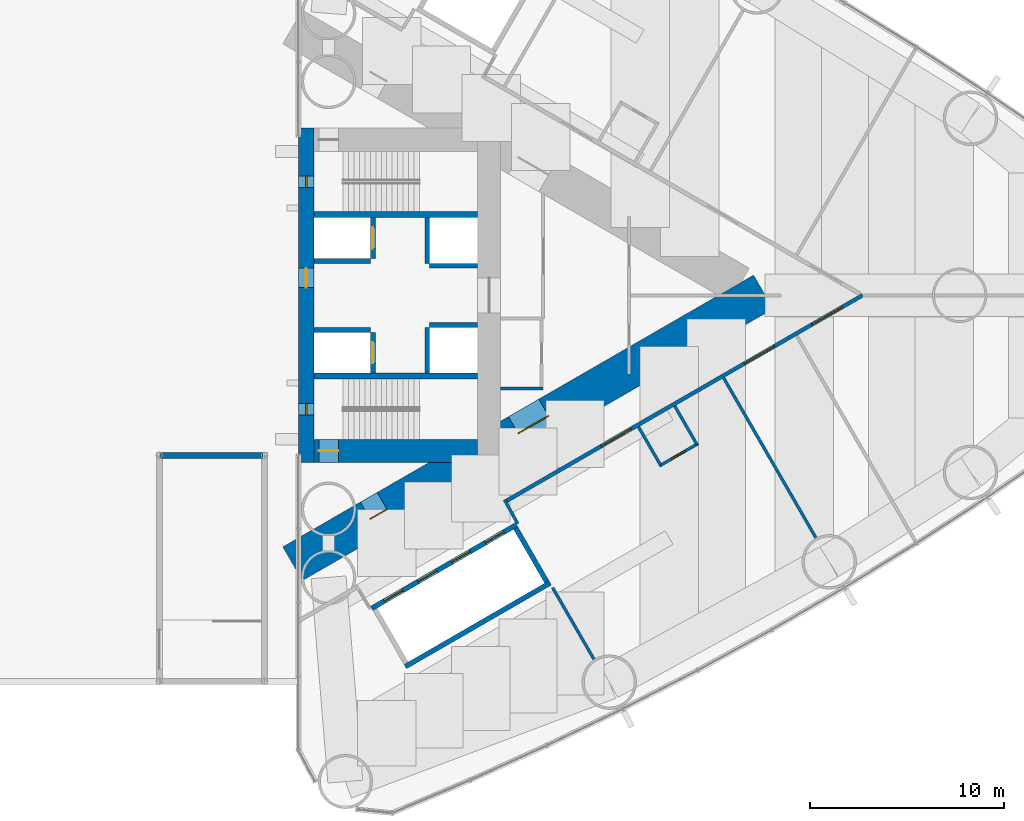
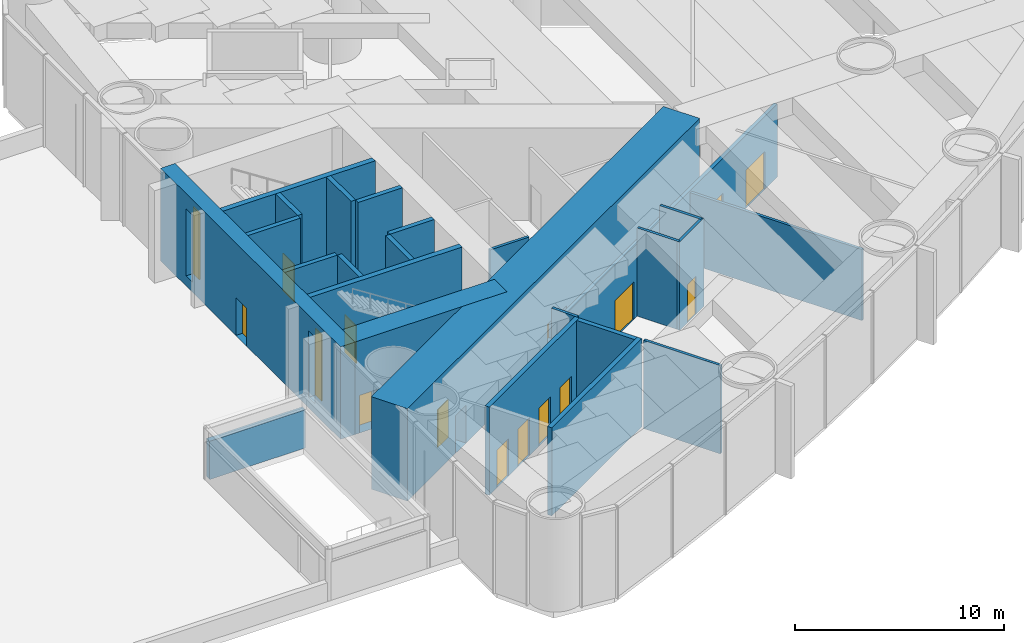
# One storey, part 19 of 23: 25 walls, 14 doors, 2 windows, 16 openings.
"""IFC4 building model written with IfcOpenShell, lengths in metres."""

from ifc_helpers import new_model, si_unit, direction, frame, frame_2d, origin, place, context, subcontext, project, spatial, rectangle, extrude, material, layer, layer_set, type_object, element, fill, save


model = new_model("IFC4")

# Units and contexts
model_context = context("Model", 3, precision=1e-05, world=origin(), true_north=direction((0.0, 1.0)))
body_context = subcontext(model_context, "Body", "Model", "MODEL_VIEW")
ifc_project = project(units=[si_unit("LENGTHUNIT", "METRE"), si_unit("AREAUNIT", "SQUARE_METRE"), si_unit("VOLUMEUNIT", "CUBIC_METRE"), si_unit("PLANEANGLEUNIT", "RADIAN"), si_unit("MASSUNIT", "GRAM", prefix="KILO")], contexts=[model_context])

# Site, building, storey
site_placement = place(None, origin())
site = spatial("IfcSite", under=ifc_project, at=site_placement, CompositionType="ELEMENT")
building_placement = place(site_placement, origin())
building = spatial("IfcBuilding", under=site, at=building_placement, Name="Lancet Gate Hotel", CompositionType="ELEMENT")
storey_placement = place(building_placement, frame((0.0, 0.0, 12.60009765625)))
storey = spatial("IfcBuildingStorey", under=building, at=storey_placement, Name="L02", CompositionType="ELEMENT", Elevation=12.60009765625)

# Walls
ifc_material_1 = material(Name="Moisture resistant board partition")
ifc_layer_1 = layer(ifc_material_1, 0.14990234375)
ifc_layer_set_1 = layer_set([ifc_layer_1], Name="Bathroom wall 150")
wall_type_1 = type_object("IfcWallType", Name="Bathroom wall 150", PredefinedType="PARTITIONING", material=ifc_layer_set_1)
for number, where, z_axis, x_axis, name in (
    (1, (44.986328125, -6.76416015625, 0.0), (0.0, 0.0, 1.0), (0.499982560684, -0.866035472144, 0.0), "T2 bathroom wall 150 L02"),
    (2, (46.848388671875, -5.689208984375, 0.0), (0.0, 0.0, 1.0), (0.499982560684, -0.866035472144, 0.0), "T2 bathroom wall 150 L02"),
):
    element("IfcWall", number, at=place(storey_placement, frame(where, z_axis=z_axis, x_axis=x_axis)), inside=storey, type_object=wall_type_1, Name=name, PredefinedType="PARTITIONING", context=body_context, shape_type="SweptSolid", body=[
        extrude(rectangle(XDim=2.27490234375, YDim=0.14990234375, at=frame_2d((1.137451171875, 0.0))), origin(), (0.0, 0.0, 1.0), 5.14990234375),
    ])

# Wall, opening, door
wall_1_placement = place(storey_placement, frame((46.058837890625, -8.77197265625, 0.0), z_axis=(0.0, 0.0, 1.0), x_axis=(0.866007057882, 0.500031774688, 0.0)))
wall_1 = element("IfcWall", 3, at=wall_1_placement, inside=storey, type_object=wall_type_1, Name="T2 bathroom wall 150 L02", PredefinedType="PARTITIONING", context=body_context, shape_type="SweptSolid", body=[
    extrude(rectangle(XDim=2.300048828125, YDim=0.14990234375, at=frame_2d((1.14990234375, 0.0))), origin(), (0.0, 0.0, 1.0), 5.14990234375),
])
opening_1_placement = place(wall_1_placement, frame((0.75, 0.0, 0.0)))
opening_1 = element("IfcOpeningElement", 4, at=opening_1_placement, cuts=wall_1, Name="Opening T2-L02-P202W", PredefinedType="OPENING", context=body_context, shape_type="SweptSolid", body=[
    extrude(rectangle(XDim=0.800048828125, YDim=2.199951171875, at=frame_2d((0.39990234375, 1.10009765625))), frame((0.0, 0.0849609375, 0.0), z_axis=(0.0, -1.0, 0.0), x_axis=(1.0, 0.0, 0.0)), (0.0, 0.0, 1.0), 0.169921875),
])
ifc_material_2 = material(Name="Timber door set", Category="wood")
door_type_1 = type_object("IfcDoorType", Name="Bathroom door 800", OperationType="SINGLE_SWING_RIGHT", PredefinedType="DOOR", material=ifc_material_2)
door_1_placement = place(opening_1_placement, origin())
door_1 = element("IfcDoor", 5, at=door_1_placement, inside=storey, type_object=door_type_1, Name="T2-L02-P202W", OperationType="SINGLE_SWING_RIGHT", OverallHeight=2.199951171875, OverallWidth=0.800048828125, PredefinedType="DOOR", context=body_context, shape_type="SweptSolid", body=[
    extrude(rectangle(XDim=0.800048828125, YDim=2.199951171875, at=frame_2d((0.39990234375, 1.10009765625))), frame((0.0, 0.02490234375, 0.0), z_axis=(0.0, -1.0, 0.0), x_axis=(1.0, 0.0, 0.0)), (0.0, 0.0, 1.0), 0.050048828125),
])
fill(opening_1, door_1)

# Wall, openings, doors
ifc_material_3 = material(Name="Concrete C70/85", Category="concrete")
ifc_layer_2 = layer(ifc_material_3, 2.0)
ifc_layer_set_2 = layer_set([ifc_layer_2], Name="Buttress wall 2000")
wall_type_2 = type_object("IfcWallType", Name="Buttress wall 2000", PredefinedType="SHEAR", material=ifc_layer_set_2)
wall_2_placement = place(storey_placement, frame((27.199951171875, -13.800048828125, 0.0), z_axis=(0.0, 0.0, 1.0), x_axis=(0.866027159892, 0.499996958321, 0.0)))
wall_2 = element("IfcWall", 6, at=wall_2_placement, inside=storey, type_object=wall_type_2, Name="T2 buttress wall S L02", PredefinedType="SHEAR", context=body_context, shape_type="SweptSolid", body=[
    extrude(rectangle(XDim=27.946533203125, YDim=2.0, at=frame_2d((13.97314453125, 0.0))), origin(), (0.0, 0.0, 1.0), 5.39990234375),
])
opening_2_placement = place(wall_2_placement, frame((4.60009765625, 0.0, 0.0)))
opening_2 = element("IfcOpeningElement", 7, at=opening_2_placement, cuts=wall_2, Name="Opening T2-L02-LS", PredefinedType="OPENING", context=body_context, shape_type="SweptSolid", body=[
    extrude(rectangle(XDim=1.0, YDim=2.199951171875, at=frame_2d((0.5, 1.10009765625))), frame((0.0, 1.010009765625, 0.0), z_axis=(0.0, -1.0, 0.0), x_axis=(1.0, 0.0, 0.0)), (0.0, 0.0, 1.0), 2.02001953125),
])
opening_3_placement = place(wall_2_placement, frame((13.39453125, 0.0, 0.0)))
opening_3 = element("IfcOpeningElement", 8, at=opening_3_placement, cuts=wall_2, Name="Opening T2-L02-LHS", PredefinedType="OPENING", context=body_context, shape_type="SweptSolid", body=[
    extrude(rectangle(XDim=1.800048828125, YDim=2.199951171875, at=frame_2d((0.89990234375, 1.10009765625))), frame((0.0, 1.010009765625, 0.0), z_axis=(0.0, -1.0, 0.0), x_axis=(1.0, 0.0, 0.0)), (0.0, 0.0, 1.0), 2.02001953125),
])
ifc_material_4 = material(Name="Timber door set", Category="wood")
door_type_2 = type_object("IfcDoorType", Name="Lobby double door 1800", OperationType="DOUBLE_DOOR_SINGLE_SWING", PredefinedType="DOOR", material=ifc_material_4)
door_2_placement = place(opening_3_placement, origin())
door_2 = element("IfcDoor", 9, at=door_2_placement, inside=storey, type_object=door_type_2, Name="T2-L02-LHS", OperationType="DOUBLE_DOOR_SINGLE_SWING", OverallHeight=2.199951171875, OverallWidth=1.800048828125, PredefinedType="DOOR", context=body_context, shape_type="SweptSolid", body=[
    extrude(rectangle(XDim=1.800048828125, YDim=2.199951171875, at=frame_2d((0.89990234375, 1.10009765625))), frame((0.0, 0.02490234375, 0.0), z_axis=(0.0, -1.0, 0.0), x_axis=(1.0, 0.0, 0.0)), (0.0, 0.0, 1.0), 0.050048828125),
])
fill(opening_3, door_2)
ifc_material_5 = material(Name="Timber door set", Category="wood")
door_type_3 = type_object("IfcDoorType", Name="Stair lobby door 1000", OperationType="SINGLE_SWING_LEFT", PredefinedType="DOOR", material=ifc_material_5)
door_3_placement = place(opening_2_placement, origin())
door_3 = element("IfcDoor", 10, at=door_3_placement, inside=storey, type_object=door_type_3, Name="T2-L02-LS", OperationType="SINGLE_SWING_LEFT", OverallHeight=2.199951171875, OverallWidth=1.0, PredefinedType="DOOR", context=body_context, shape_type="SweptSolid", body=[
    extrude(rectangle(XDim=1.0, YDim=2.199951171875, at=frame_2d((0.5, 1.10009765625))), frame((0.0, 0.02490234375, 0.0), z_axis=(0.0, -1.0, 0.0), x_axis=(1.0, 0.0, 0.0)), (0.0, 0.0, 1.0), 0.050048828125),
])
fill(opening_2, door_3)

# Wall, opening, door
ifc_material_6 = material(Name="Concrete C70/85", Category="concrete")
ifc_layer_3 = layer(ifc_material_6, 1.199951171875)
ifc_layer_set_3 = layer_set([ifc_layer_3], Name="Core wall 1200")
wall_type_3 = type_object("IfcWallType", Name="Core wall 1200", PredefinedType="SHEAR", material=ifc_layer_set_3)
wall_3_placement = place(storey_placement, frame((28.300048828125, -8.0, 0.0), z_axis=(0.0, 0.0, 1.0), x_axis=(1.0, 0.0, 0.0)))
wall_3 = element("IfcWall", 11, at=wall_3_placement, inside=storey, type_object=wall_type_3, Name="T2 core wall side-S L02", PredefinedType="SHEAR", context=body_context, shape_type="SweptSolid", body=[
    extrude(rectangle(XDim=8.39990234375, YDim=1.199951171875, at=frame_2d((4.199951171875, 0.0))), origin(), (0.0, 0.0, 1.0), 5.39990234375),
])
opening_4_placement = place(wall_3_placement, frame((0.25, 0.0, 0.0)))
opening_4 = element("IfcOpeningElement", 12, at=opening_4_placement, cuts=wall_3, Name="Opening T2-L02-ST1", PredefinedType="OPENING", context=body_context, shape_type="SweptSolid", body=[
    extrude(rectangle(XDim=1.0, YDim=2.199951171875, at=frame_2d((0.5, 1.10009765625))), frame((0.0, 0.60986328125, 0.0), z_axis=(0.0, -1.0, 0.0), x_axis=(1.0, 0.0, 0.0)), (0.0, 0.0, 1.0), 1.219970703125),
])
ifc_material_7 = material(Name="Timber door set", Category="wood")
door_type_4 = type_object("IfcDoorType", Name="Stair door 1000", OperationType="SINGLE_SWING_RIGHT", PredefinedType="DOOR", material=ifc_material_7)
door_4_placement = place(opening_4_placement, origin())
door_4 = element("IfcDoor", 13, at=door_4_placement, inside=storey, type_object=door_type_4, Name="T2-L02-ST1", OperationType="SINGLE_SWING_RIGHT", OverallHeight=2.199951171875, OverallWidth=1.0, PredefinedType="DOOR", context=body_context, shape_type="SweptSolid", body=[
    extrude(rectangle(XDim=1.0, YDim=2.199951171875, at=frame_2d((0.5, 1.10009765625))), frame((0.0, 0.02490234375, 0.0), z_axis=(0.0, -1.0, 0.0), x_axis=(1.0, 0.0, 0.0)), (0.0, 0.0, 1.0), 0.050048828125),
])
fill(opening_4, door_4)

# Wall, openings, windows, door
ifc_material_8 = material(Name="Concrete C70/85", Category="concrete")
ifc_layer_4 = layer(ifc_material_8, 0.800048828125)
ifc_layer_set_4 = layer_set([ifc_layer_4], Name="Core wall 800")
wall_type_4 = type_object("IfcWallType", Name="Core wall 800", PredefinedType="SHEAR", material=ifc_layer_set_4)
wall_4_placement = place(storey_placement, frame((27.89990234375, -8.60009765625, 0.0), z_axis=(0.0, 0.0, 1.0), x_axis=(0.0, 1.0, 0.0)))
wall_4 = element("IfcWall", 14, at=wall_4_placement, inside=storey, type_object=wall_type_4, Name="T2 core wall front L02", PredefinedType="SHEAR", context=body_context, shape_type="SweptSolid", body=[
    extrude(rectangle(XDim=17.2001953125, YDim=0.800048828125, at=frame_2d((8.60009765625, 0.0))), origin(), (0.0, 0.0, 1.0), 5.39990234375),
])
opening_5_placement = place(wall_4_placement, frame((9.0, 0.0, 0.0)))
opening_5 = element("IfcOpeningElement", 15, at=opening_5_placement, cuts=wall_4, Name="Opening T2-L02-RT", PredefinedType="OPENING", context=body_context, shape_type="SweptSolid", body=[
    extrude(rectangle(XDim=1.0, YDim=2.199951171875, at=frame_2d((0.5, 1.10009765625))), frame((0.0, 0.409912109375, 0.0), z_axis=(0.0, -1.0, 0.0), x_axis=(1.0, 0.0, 0.0)), (0.0, 0.0, 1.0), 0.820068359375),
])
opening_6_placement = place(wall_4_placement, frame((2.449951171875, 0.0, 0.60009765625)))
opening_6 = element("IfcOpeningElement", 16, at=opening_6_placement, cuts=wall_4, Name="Opening LW2", PredefinedType="OPENING", context=body_context, shape_type="SweptSolid", body=[
    extrude(rectangle(XDim=0.60009765625, YDim=3.89990234375, at=frame_2d((0.300048828125, 1.949951171875))), frame((0.0, 0.409912109375, 0.0), z_axis=(0.0, -1.0, 0.0), x_axis=(1.0, 0.0, 0.0)), (0.0, 0.0, 1.0), 0.820068359375),
])
opening_7_placement = place(wall_4_placement, frame((14.14990234375, 0.0, 0.60009765625)))
opening_7 = element("IfcOpeningElement", 17, at=opening_7_placement, cuts=wall_4, Name="Opening LW2", PredefinedType="OPENING", context=body_context, shape_type="SweptSolid", body=[
    extrude(rectangle(XDim=0.60009765625, YDim=3.89990234375, at=frame_2d((0.300048828125, 1.949951171875))), frame((0.0, 0.409912109375, 0.0), z_axis=(0.0, -1.0, 0.0), x_axis=(1.0, 0.0, 0.0)), (0.0, 0.0, 1.0), 0.820068359375),
])
ifc_material_9 = material(Name="Fire-resisting glazed steel window", Category="steel")
window_type = type_object("IfcWindowType", Name="Lancet window 600x3900", PartitioningType="SINGLE_PANEL", PredefinedType="WINDOW", material=ifc_material_9)
window_1_placement = place(opening_6_placement, origin())
window_1 = element("IfcWindow", 18, at=window_1_placement, inside=storey, type_object=window_type, Name="T2 stair window S L02", OverallHeight=3.89990234375, OverallWidth=0.60009765625, PartitioningType="SINGLE_PANEL", PredefinedType="WINDOW", context=body_context, shape_type="SweptSolid", body=[
    extrude(rectangle(XDim=0.60009765625, YDim=3.89990234375, at=frame_2d((0.300048828125, 1.949951171875))), frame((0.0, 0.030029296875, 0.0), z_axis=(0.0, -1.0, 0.0), x_axis=(1.0, 0.0, 0.0)), (0.0, 0.0, 1.0), 0.06005859375),
])
fill(opening_6, window_1)
window_2_placement = place(opening_7_placement, origin())
window_2 = element("IfcWindow", 19, at=window_2_placement, inside=storey, type_object=window_type, Name="T2 stair window N L02", OverallHeight=3.89990234375, OverallWidth=0.60009765625, PartitioningType="SINGLE_PANEL", PredefinedType="WINDOW", context=body_context, shape_type="SweptSolid", body=[
    extrude(rectangle(XDim=0.60009765625, YDim=3.89990234375, at=frame_2d((0.300048828125, 1.949951171875))), frame((0.0, 0.030029296875, 0.0), z_axis=(0.0, -1.0, 0.0), x_axis=(1.0, 0.0, 0.0)), (0.0, 0.0, 1.0), 0.06005859375),
])
fill(opening_7, window_2)
ifc_material_10 = material(Name="Timber door set", Category="wood")
door_type_5 = type_object("IfcDoorType", Name="Maintenance roof access door", OperationType="SINGLE_SWING_LEFT", PredefinedType="DOOR", material=ifc_material_10)
door_5_placement = place(opening_5_placement, origin())
door_5 = element("IfcDoor", 20, at=door_5_placement, inside=storey, type_object=door_type_5, Name="T2-L02-RT", OperationType="SINGLE_SWING_LEFT", OverallHeight=2.199951171875, OverallWidth=1.0, PredefinedType="DOOR", context=body_context, shape_type="SweptSolid", body=[
    extrude(rectangle(XDim=1.0, YDim=2.199951171875, at=frame_2d((0.5, 1.10009765625))), frame((0.0, 0.02490234375, 0.0), z_axis=(0.0, -1.0, 0.0), x_axis=(1.0, 0.0, 0.0)), (0.0, 0.0, 1.0), 0.050048828125),
])
fill(opening_5, door_5)

# Wall, openings, doors
ifc_material_11 = material(Name="Gypsum board partition")
ifc_layer_5 = layer(ifc_material_11, 0.199951171875)
ifc_layer_set_5 = layer_set([ifc_layer_5], Name="Corridor wall 200")
wall_type_5 = type_object("IfcWallType", Name="Corridor wall 200", PredefinedType="PARTITIONING", material=ifc_layer_set_5)
wall_5_placement = place(storey_placement, frame((38.159912109375, -10.58984375, 0.0), z_axis=(0.0, 0.0, 1.0), x_axis=(0.866027029586, 0.499997184019, 0.0)))
wall_5 = element("IfcWall", 21, at=wall_5_placement, inside=storey, type_object=wall_type_5, Name="T2 corridor wall 200 L02", PredefinedType="PARTITIONING", context=body_context, shape_type="SweptSolid", body=[
    extrude(rectangle(XDim=21.1796875, YDim=0.199951171875, at=frame_2d((10.58984375, 0.0))), origin(), (0.0, 0.0, 1.0), 4.25),
])
opening_8_placement = place(wall_5_placement, frame((14.142333984375, 0.0, 0.0)))
opening_8 = element("IfcOpeningElement", 22, at=opening_8_placement, cuts=wall_5, Name="Opening T2-L02-P203", PredefinedType="OPENING", context=body_context, shape_type="SweptSolid", body=[
    extrude(rectangle(XDim=1.800048828125, YDim=2.199951171875, at=frame_2d((0.89990234375, 1.10009765625))), frame((0.0, 0.10986328125, 0.0), z_axis=(0.0, -1.0, 0.0), x_axis=(1.0, 0.0, 0.0)), (0.0, 0.0, 1.0), 0.219970703125),
])
opening_9_placement = place(wall_5_placement, frame((18.1826171875, 0.0, 0.0)))
opening_9 = element("IfcOpeningElement", 23, at=opening_9_placement, cuts=wall_5, Name="Opening T2-L02-P204", PredefinedType="OPENING", context=body_context, shape_type="SweptSolid", body=[
    extrude(rectangle(XDim=1.800048828125, YDim=2.199951171875, at=frame_2d((0.89990234375, 1.10009765625))), frame((0.0, 0.10986328125, 0.0), z_axis=(0.0, -1.0, 0.0), x_axis=(1.0, 0.0, 0.0)), (0.0, 0.0, 1.0), 0.219970703125),
])
opening_10_placement = place(wall_5_placement, frame((5.649658203125, 0.0, 0.0)))
opening_10 = element("IfcOpeningElement", 24, at=opening_10_placement, cuts=wall_5, Name="Opening T2-L02-P202", PredefinedType="OPENING", context=body_context, shape_type="SweptSolid", body=[
    extrude(rectangle(XDim=1.800048828125, YDim=2.199951171875, at=frame_2d((0.89990234375, 1.10009765625))), frame((0.0, 0.10986328125, 0.0), z_axis=(0.0, -1.0, 0.0), x_axis=(1.0, 0.0, 0.0)), (0.0, 0.0, 1.0), 0.219970703125),
])
ifc_material_12 = material(Name="Timber door set", Category="wood")
door_type_6 = type_object("IfcDoorType", Name="Double door 1800", OperationType="DOUBLE_DOOR_SINGLE_SWING", PredefinedType="DOOR", material=ifc_material_12)
door_6_placement = place(opening_8_placement, origin())
door_6 = element("IfcDoor", 25, at=door_6_placement, inside=storey, type_object=door_type_6, Name="T2-L02-P203", OperationType="DOUBLE_DOOR_SINGLE_SWING", OverallHeight=2.199951171875, OverallWidth=1.800048828125, PredefinedType="DOOR", context=body_context, shape_type="SweptSolid", body=[
    extrude(rectangle(XDim=1.800048828125, YDim=2.199951171875, at=frame_2d((0.89990234375, 1.10009765625))), frame((0.0, 0.02490234375, 0.0), z_axis=(0.0, -1.0, 0.0), x_axis=(1.0, 0.0, 0.0)), (0.0, 0.0, 1.0), 0.050048828125),
])
fill(opening_8, door_6)
door_7_placement = place(opening_9_placement, origin())
door_7 = element("IfcDoor", 26, at=door_7_placement, inside=storey, type_object=door_type_6, Name="T2-L02-P204", OperationType="DOUBLE_DOOR_SINGLE_SWING", OverallHeight=2.199951171875, OverallWidth=1.800048828125, PredefinedType="DOOR", context=body_context, shape_type="SweptSolid", body=[
    extrude(rectangle(XDim=1.800048828125, YDim=2.199951171875, at=frame_2d((0.89990234375, 1.10009765625))), frame((0.0, 0.02490234375, 0.0), z_axis=(0.0, -1.0, 0.0), x_axis=(1.0, 0.0, 0.0)), (0.0, 0.0, 1.0), 0.050048828125),
])
fill(opening_9, door_7)
door_8_placement = place(opening_10_placement, origin())
door_8 = element("IfcDoor", 27, at=door_8_placement, inside=storey, type_object=door_type_6, Name="T2-L02-P202", OperationType="DOUBLE_DOOR_SINGLE_SWING", OverallHeight=2.199951171875, OverallWidth=1.800048828125, PredefinedType="DOOR", context=body_context, shape_type="SweptSolid", body=[
    extrude(rectangle(XDim=1.800048828125, YDim=2.199951171875, at=frame_2d((0.89990234375, 1.10009765625))), frame((0.0, 0.02490234375, 0.0), z_axis=(0.0, -1.0, 0.0), x_axis=(1.0, 0.0, 0.0)), (0.0, 0.0, 1.0), 0.050048828125),
])
fill(opening_10, door_8)

ifc_material_13 = material(Name="Gypsum board partition")
ifc_layer_6 = layer(ifc_material_13, 0.25)
ifc_layer_set_6 = layer_set([ifc_layer_6], Name="Lift shaft partition 250")
wall_type_6 = type_object("IfcWallType", Name="Lift shaft partition 250", PredefinedType="PARTITIONING", material=ifc_layer_set_6)
wall_6_placement = place(storey_placement, frame((31.2705078125, -16.09716796875, 0.0), z_axis=(0.0, 0.0, 1.0), x_axis=(0.86604045752, 0.499973925258, 0.0)))
wall_6 = element("IfcWall", 28, at=wall_6_placement, inside=storey, type_object=wall_type_6, Name="T2 lift shaft wall LR L02", PredefinedType="PARTITIONING", context=body_context, shape_type="SweptSolid", body=[
    extrude(rectangle(XDim=8.60009765625, YDim=0.25, at=frame_2d((4.300048828125, 0.0))), origin(), (0.0, 0.0, 1.0), 5.14990234375),
])
opening_11_placement = place(wall_6_placement, frame((0.75, 0.0, 0.0)))
opening_11 = element("IfcOpeningElement", 29, at=opening_11_placement, cuts=wall_6, Name="Opening T2-LR1-L02", PredefinedType="OPENING", context=body_context, shape_type="SweptSolid", body=[
    extrude(rectangle(XDim=1.10009765625, YDim=2.199951171875, at=frame_2d((0.550048828125, 1.10009765625))), frame((0.0, 0.135009765625, 0.0), z_axis=(0.0, -1.0, 0.0), x_axis=(1.0, 0.0, 0.0)), (0.0, 0.0, 1.0), 0.27001953125),
])
opening_12_placement = place(wall_6_placement, frame((2.75, 0.0, 0.0)))
opening_12 = element("IfcOpeningElement", 30, at=opening_12_placement, cuts=wall_6, Name="Opening T2-LR2-L02", PredefinedType="OPENING", context=body_context, shape_type="SweptSolid", body=[
    extrude(rectangle(XDim=1.10009765625, YDim=2.199951171875, at=frame_2d((0.550048828125, 1.10009765625))), frame((0.0, 0.135009765625, 0.0), z_axis=(0.0, -1.0, 0.0), x_axis=(1.0, 0.0, 0.0)), (0.0, 0.0, 1.0), 0.27001953125),
])
opening_13_placement = place(wall_6_placement, frame((4.75, 0.0, 0.0)))
opening_13 = element("IfcOpeningElement", 31, at=opening_13_placement, cuts=wall_6, Name="Opening T2-LR3-L02", PredefinedType="OPENING", context=body_context, shape_type="SweptSolid", body=[
    extrude(rectangle(XDim=1.10009765625, YDim=2.199951171875, at=frame_2d((0.550048828125, 1.10009765625))), frame((0.0, 0.135009765625, 0.0), z_axis=(0.0, -1.0, 0.0), x_axis=(1.0, 0.0, 0.0)), (0.0, 0.0, 1.0), 0.27001953125),
])
opening_14_placement = place(wall_6_placement, frame((6.75, 0.0, 0.0)))
opening_14 = element("IfcOpeningElement", 32, at=opening_14_placement, cuts=wall_6, Name="Opening T2-LR4-L02", PredefinedType="OPENING", context=body_context, shape_type="SweptSolid", body=[
    extrude(rectangle(XDim=1.10009765625, YDim=2.199951171875, at=frame_2d((0.550048828125, 1.10009765625))), frame((0.0, 0.135009765625, 0.0), z_axis=(0.0, -1.0, 0.0), x_axis=(1.0, 0.0, 0.0)), (0.0, 0.0, 1.0), 0.27001953125),
])
ifc_material_14 = material(Name="Steel door set", Category="steel")
door_type_7 = type_object("IfcDoorType", Name="Lift landing door 1100", OperationType="DOUBLE_DOOR_SLIDING", PredefinedType="USERDEFINED", material=ifc_material_14)
door_9_placement = place(opening_11_placement, origin())
door_9 = element("IfcDoor", 33, at=door_9_placement, inside=storey, type_object=door_type_7, Name="T2-LR1-L02", ObjectType="LIFT LANDING DOOR", OperationType="DOUBLE_DOOR_SLIDING", OverallHeight=2.199951171875, OverallWidth=1.10009765625, PredefinedType="USERDEFINED", context=body_context, shape_type="SweptSolid", body=[
    extrude(rectangle(XDim=1.10009765625, YDim=2.199951171875, at=frame_2d((0.550048828125, 1.10009765625))), frame((0.0, 0.02490234375, 0.0), z_axis=(0.0, -1.0, 0.0), x_axis=(1.0, 0.0, 0.0)), (0.0, 0.0, 1.0), 0.050048828125),
])
fill(opening_11, door_9)
door_10_placement = place(opening_12_placement, origin())
door_10 = element("IfcDoor", 34, at=door_10_placement, inside=storey, type_object=door_type_7, Name="T2-LR2-L02", ObjectType="LIFT LANDING DOOR", OperationType="DOUBLE_DOOR_SLIDING", OverallHeight=2.199951171875, OverallWidth=1.10009765625, PredefinedType="USERDEFINED", context=body_context, shape_type="SweptSolid", body=[
    extrude(rectangle(XDim=1.10009765625, YDim=2.199951171875, at=frame_2d((0.550048828125, 1.10009765625))), frame((0.0, 0.02490234375, 0.0), z_axis=(0.0, -1.0, 0.0), x_axis=(1.0, 0.0, 0.0)), (0.0, 0.0, 1.0), 0.050048828125),
])
fill(opening_12, door_10)
door_11_placement = place(opening_13_placement, origin())
door_11 = element("IfcDoor", 35, at=door_11_placement, inside=storey, type_object=door_type_7, Name="T2-LR3-L02", ObjectType="LIFT LANDING DOOR", OperationType="DOUBLE_DOOR_SLIDING", OverallHeight=2.199951171875, OverallWidth=1.10009765625, PredefinedType="USERDEFINED", context=body_context, shape_type="SweptSolid", body=[
    extrude(rectangle(XDim=1.10009765625, YDim=2.199951171875, at=frame_2d((0.550048828125, 1.10009765625))), frame((0.0, 0.02490234375, 0.0), z_axis=(0.0, -1.0, 0.0), x_axis=(1.0, 0.0, 0.0)), (0.0, 0.0, 1.0), 0.050048828125),
])
fill(opening_13, door_11)
door_12_placement = place(opening_14_placement, origin())
door_12 = element("IfcDoor", 36, at=door_12_placement, inside=storey, type_object=door_type_7, Name="T2-LR4-L02", ObjectType="LIFT LANDING DOOR", OperationType="DOUBLE_DOOR_SLIDING", OverallHeight=2.199951171875, OverallWidth=1.10009765625, PredefinedType="USERDEFINED", context=body_context, shape_type="SweptSolid", body=[
    extrude(rectangle(XDim=1.10009765625, YDim=2.199951171875, at=frame_2d((0.550048828125, 1.10009765625))), frame((0.0, 0.02490234375, 0.0), z_axis=(0.0, -1.0, 0.0), x_axis=(1.0, 0.0, 0.0)), (0.0, 0.0, 1.0), 0.050048828125),
])
fill(opening_14, door_12)

# Walls
wall_7_placement = place(storey_placement, frame((32.99560546875, -19.085693359375, 0.0), z_axis=(0.0, 0.0, 1.0), x_axis=(0.866028165386, 0.499995216735, 0.0)))
element("IfcWall", 37, at=wall_7_placement, inside=storey, type_object=wall_type_6, Name="T2 lift shaft wall LR L02", PredefinedType="PARTITIONING", context=body_context, shape_type="SweptSolid", body=[
    extrude(rectangle(XDim=8.60009765625, YDim=0.25, at=frame_2d((4.300048828125, 0.0))), origin(), (0.0, 0.0, 1.0), 5.14990234375),
])
wall_8_placement = place(storey_placement, frame((38.672607421875, -11.968017578125, 0.0), z_axis=(0.0, 0.0, 1.0), x_axis=(0.499929347863, -0.866066190972, 0.0)))
element("IfcWall", 38, at=wall_8_placement, inside=storey, type_object=wall_type_6, Name="T2 lift shaft wall LR L02", PredefinedType="PARTITIONING", context=body_context, shape_type="SweptSolid", body=[
    extrude(rectangle(XDim=3.20068359375, YDim=0.25, at=frame_2d((1.600341796875, 0.0))), origin(), (0.0, 0.0, 1.0), 5.14990234375),
])

# Wall, opening, door
ifc_material_15 = material(Name="Concrete C50/60", Category="concrete")
ifc_layer_7 = layer(ifc_material_15, 0.25)
ifc_layer_set_7 = layer_set([ifc_layer_7], Name="Lift shaft wall 250")
wall_type_7 = type_object("IfcWallType", Name="Lift shaft wall 250", PredefinedType="SHEAR", material=ifc_layer_set_7)
wall_9_placement = place(storey_placement, frame((31.324951171875, -4.0, 0.0), z_axis=(0.0, 0.0, 1.0), x_axis=(0.0, 1.0, 0.0)))
wall_9 = element("IfcWall", 39, at=wall_9_placement, inside=storey, type_object=wall_type_7, Name="T2 core wall row1-S L02", PredefinedType="SHEAR", context=body_context, shape_type="SweptSolid", body=[
    extrude(rectangle(XDim=2.10009765625, YDim=0.25, at=frame_2d((1.050048828125, 0.0))), origin(), (0.0, 0.0, 1.0), 5.39990234375),
])
opening_15_placement = place(wall_9_placement, frame((0.5, 0.0, 0.0)))
opening_15 = element("IfcOpeningElement", 40, at=opening_15_placement, cuts=wall_9, Name="Opening T2-SL1-L02", PredefinedType="OPENING", context=body_context, shape_type="SweptSolid", body=[
    extrude(rectangle(XDim=1.10009765625, YDim=2.199951171875, at=frame_2d((0.550048828125, 1.10009765625))), frame((0.0, 0.135009765625, 0.0), z_axis=(0.0, -1.0, 0.0), x_axis=(1.0, 0.0, 0.0)), (0.0, 0.0, 1.0), 0.27001953125),
])
ifc_material_16 = material(Name="Timber door set", Category="wood")
door_type_8 = type_object("IfcDoorType", Name="Service lift landing door 1100", OperationType="SLIDING_TO_LEFT", PredefinedType="USERDEFINED", material=ifc_material_16)
door_13_placement = place(opening_15_placement, origin())
door_13 = element("IfcDoor", 41, at=door_13_placement, inside=storey, type_object=door_type_8, Name="T2-SL1-L02", ObjectType="LIFT LANDING DOOR", OperationType="SLIDING_TO_LEFT", OverallHeight=2.199951171875, OverallWidth=1.10009765625, PredefinedType="USERDEFINED", context=body_context, shape_type="SweptSolid", body=[
    extrude(rectangle(XDim=1.10009765625, YDim=2.199951171875, at=frame_2d((0.550048828125, 1.10009765625))), frame((0.0, 0.02490234375, 0.0), z_axis=(0.0, -1.0, 0.0), x_axis=(1.0, 0.0, 0.0)), (0.0, 0.0, 1.0), 0.050048828125),
])
fill(opening_15, door_13)

# Walls
wall_10_placement = place(storey_placement, frame((34.125, -4.0, 0.0), z_axis=(0.0, 0.0, 1.0), x_axis=(0.0, 1.0, 0.0)))
element("IfcWall", 42, at=wall_10_placement, inside=storey, type_object=wall_type_7, Name="T2 core wall row2-S L02", PredefinedType="SHEAR", context=body_context, shape_type="SweptSolid", body=[
    extrude(rectangle(XDim=2.35009765625, YDim=0.25, at=frame_2d((1.175048828125, 0.0))), origin(), (0.0, 0.0, 1.0), 5.39990234375),
])
wall_11_placement = place(storey_placement, frame((28.300048828125, -1.77490234375, 0.0), z_axis=(0.0, 0.0, 1.0), x_axis=(1.0, 0.0, 0.0)))
element("IfcWall", 43, at=wall_11_placement, inside=storey, type_object=wall_type_7, Name="T2 core wall pass1-S L02", PredefinedType="SHEAR", context=body_context, shape_type="SweptSolid", body=[
    extrude(rectangle(XDim=2.89990234375, YDim=0.25, at=frame_2d((1.449951171875, 0.0))), origin(), (0.0, 0.0, 1.0), 5.39990234375),
])
wall_12_placement = place(storey_placement, frame((34.25, -1.52490234375, 0.0), z_axis=(0.0, 0.0, 1.0), x_axis=(1.0, 0.0, 0.0)))
element("IfcWall", 44, at=wall_12_placement, inside=storey, type_object=wall_type_7, Name="T2 core wall pass2-S L02", PredefinedType="SHEAR", context=body_context, shape_type="SweptSolid", body=[
    extrude(rectangle(XDim=2.449951171875, YDim=0.25, at=frame_2d((1.22509765625, 0.0))), origin(), (0.0, 0.0, 1.0), 5.39990234375),
])

# Wall, opening, door
wall_13_placement = place(storey_placement, frame((31.324951171875, 1.89990234375, 0.0), z_axis=(0.0, 0.0, 1.0), x_axis=(0.0, 1.0, 0.0)))
wall_13 = element("IfcWall", 45, at=wall_13_placement, inside=storey, type_object=wall_type_7, Name="T2 core wall row1-N L02", PredefinedType="SHEAR", context=body_context, shape_type="SweptSolid", body=[
    extrude(rectangle(XDim=2.10009765625, YDim=0.25, at=frame_2d((1.050048828125, 0.0))), origin(), (0.0, 0.0, 1.0), 5.39990234375),
])
opening_16_placement = place(wall_13_placement, frame((0.5, 0.0, 0.0)))
opening_16 = element("IfcOpeningElement", 46, at=opening_16_placement, cuts=wall_13, Name="Opening T2-FL2-L02", PredefinedType="OPENING", context=body_context, shape_type="SweptSolid", body=[
    extrude(rectangle(XDim=1.10009765625, YDim=2.199951171875, at=frame_2d((0.550048828125, 1.10009765625))), frame((0.0, 0.135009765625, 0.0), z_axis=(0.0, -1.0, 0.0), x_axis=(1.0, 0.0, 0.0)), (0.0, 0.0, 1.0), 0.27001953125),
])
ifc_material_17 = material(Name="Steel door set", Category="steel")
door_type_9 = type_object("IfcDoorType", Name="Firefighting lift landing door 1100", OperationType="SLIDING_TO_LEFT", PredefinedType="USERDEFINED", material=ifc_material_17)
door_14_placement = place(opening_16_placement, origin())
door_14 = element("IfcDoor", 47, at=door_14_placement, inside=storey, type_object=door_type_9, Name="T2-FL2-L02", ObjectType="LIFT LANDING DOOR", OperationType="SLIDING_TO_LEFT", OverallHeight=2.199951171875, OverallWidth=1.10009765625, PredefinedType="USERDEFINED", context=body_context, shape_type="SweptSolid", body=[
    extrude(rectangle(XDim=1.10009765625, YDim=2.199951171875, at=frame_2d((0.550048828125, 1.10009765625))), frame((0.0, 0.02490234375, 0.0), z_axis=(0.0, -1.0, 0.0), x_axis=(1.0, 0.0, 0.0)), (0.0, 0.0, 1.0), 0.050048828125),
])
fill(opening_16, door_14)

# Walls
wall_14_placement = place(storey_placement, frame((34.125, 1.64990234375, 0.0), z_axis=(0.0, 0.0, 1.0), x_axis=(0.0, 1.0, 0.0)))
element("IfcWall", 48, at=wall_14_placement, inside=storey, type_object=wall_type_7, Name="T2 core wall row2-N L02", PredefinedType="SHEAR", context=body_context, shape_type="SweptSolid", body=[
    extrude(rectangle(XDim=2.35009765625, YDim=0.25, at=frame_2d((1.175048828125, 0.0))), origin(), (0.0, 0.0, 1.0), 5.39990234375),
])
wall_15_placement = place(storey_placement, frame((28.300048828125, 1.77490234375, 0.0), z_axis=(0.0, 0.0, 1.0), x_axis=(1.0, 0.0, 0.0)))
element("IfcWall", 49, at=wall_15_placement, inside=storey, type_object=wall_type_7, Name="T2 core wall pass1-N L02", PredefinedType="SHEAR", context=body_context, shape_type="SweptSolid", body=[
    extrude(rectangle(XDim=2.89990234375, YDim=0.25, at=frame_2d((1.449951171875, 0.0))), origin(), (0.0, 0.0, 1.0), 5.39990234375),
])
wall_16_placement = place(storey_placement, frame((34.25, 1.52490234375, 0.0), z_axis=(0.0, 0.0, 1.0), x_axis=(1.0, 0.0, 0.0)))
element("IfcWall", 50, at=wall_16_placement, inside=storey, type_object=wall_type_7, Name="T2 core wall pass2-N L02", PredefinedType="SHEAR", context=body_context, shape_type="SweptSolid", body=[
    extrude(rectangle(XDim=2.449951171875, YDim=0.25, at=frame_2d((1.22509765625, 0.0))), origin(), (0.0, 0.0, 1.0), 5.39990234375),
])
ifc_material_18 = material(Name="Gypsum board partition")
ifc_layer_8 = layer(ifc_material_18, 0.14990234375)
ifc_layer_set_8 = layer_set([ifc_layer_8], Name="Party wall 150")
wall_type_8 = type_object("IfcWallType", Name="Party wall 150", PredefinedType="PARTITIONING", material=ifc_layer_set_8)
wall_17_placement = place(storey_placement, frame((49.359619140625, -4.2392578125, 0.0), z_axis=(0.0, 0.0, 1.0), x_axis=(0.499984446848, -0.866034383215, 0.0)))
element("IfcWall", 51, at=wall_17_placement, inside=storey, type_object=wall_type_8, Name="T2 party wall 150 L02", PredefinedType="PARTITIONING", context=body_context, shape_type="SweptSolid", body=[
    extrude(rectangle(XDim=9.491455078125, YDim=0.14990234375, at=frame_2d((4.74560546875, 0.0))), origin(), (0.0, 0.0, 1.0), 4.14990234375),
])
wall_18_placement = place(storey_placement, frame((40.5703125, -15.030029296875, 0.0), z_axis=(0.0, 0.0, 1.0), x_axis=(0.500012993597, -0.866017901798, 0.0)))
element("IfcWall", 52, at=wall_18_placement, inside=storey, type_object=wall_type_8, Name="T2 party wall 150 L02", PredefinedType="PARTITIONING", context=body_context, shape_type="SweptSolid", body=[
    extrude(rectangle(XDim=4.2431640625, YDim=0.14990234375, at=frame_2d((2.12158203125, 0.0))), origin(), (0.0, 0.0, 1.0), 5.14990234375),
])
ifc_material_19 = material(Name="Dense concrete blockwork", Category="masonry")
ifc_layer_9 = layer(ifc_material_19, 0.300048828125)
ifc_layer_set_9 = layer_set([ifc_layer_9], Name="Podium stair enclosure wall 300")
wall_type_9 = type_object("IfcWallType", Name="Podium stair enclosure wall 300", PredefinedType="SOLIDWALL", material=ifc_layer_set_9)
wall_19_placement = place(storey_placement, frame((20.4111328125, -8.22998046875, 0.0), z_axis=(0.0, 0.0, 1.0), x_axis=(1.0, 0.0, 0.0)))
element("IfcWall", 53, at=wall_19_placement, inside=storey, type_object=wall_type_9, Name="Podium stair PS5 headhouse wall inner L02", PredefinedType="SOLIDWALL", context=body_context, shape_type="SweptSolid", body=[
    extrude(rectangle(XDim=5.27783203125, YDim=0.300048828125, at=frame_2d((2.638916015625, 0.0))), origin(), (0.0, 0.0, 1.0), 2.22998046875),
])
ifc_material_20 = material(Name="Gypsum board partition")
ifc_layer_10 = layer(ifc_material_20, 0.14990234375)
ifc_layer_set_10 = layer_set([ifc_layer_10], Name="Service room wall 150")
wall_type_10 = type_object("IfcWallType", Name="Service room wall 150", PredefinedType="PARTITIONING", material=ifc_layer_set_10)
wall_20_placement = place(storey_placement, frame((38.7734375, -11.742431640625, 0.0), z_axis=(0.0, 0.0, 1.0), x_axis=(-0.481418475768, 0.876490873421, 0.0)))
element("IfcWall", 54, at=wall_20_placement, inside=storey, type_object=wall_type_10, Name="T2 service room wall 150 L02", PredefinedType="PARTITIONING", context=body_context, shape_type="SweptSolid", body=[
    extrude(rectangle(XDim=1.4052734375, YDim=0.14990234375, at=frame_2d((0.70263671875, 0.0))), origin(), (0.0, 0.0, 1.0), 5.14990234375),
])
wall_21_placement = place(storey_placement, frame((37.89990234375, -4.800048828125, 0.0), z_axis=(0.0, 0.0, 1.0), x_axis=(1.0, 0.0, 0.0)))
element("IfcWall", 55, at=wall_21_placement, inside=storey, type_object=wall_type_10, Name="T2 service room wall 150 L02", PredefinedType="PARTITIONING", context=body_context, shape_type="SweptSolid", body=[
    extrude(rectangle(XDim=2.175048828125, YDim=0.14990234375, at=frame_2d((1.08740234375, 0.0))), origin(), (0.0, 0.0, 1.0), 5.14990234375),
])
ifc_material_21 = material(Name="Concrete C50/60", Category="concrete")
ifc_layer_11 = layer(ifc_material_21, 0.300048828125)
ifc_layer_set_11 = layer_set([ifc_layer_11], Name="Stair enclosure wall 300")
wall_type_11 = type_object("IfcWallType", Name="Stair enclosure wall 300", PredefinedType="SHEAR", material=ifc_layer_set_11)
for number, where, z_axis, x_axis, name in (
    (56, (28.300048828125, -4.14990234375, 0.0), (0.0, 0.0, 1.0), (1.0, 0.0, 0.0), "T2 core wall stair-S L02"),
    (57, (28.300048828125, 4.14990234375, 0.0), (0.0, 0.0, 1.0), (1.0, 0.0, 0.0), "T2 core wall stair-N L02"),
):
    element("IfcWall", number, at=place(storey_placement, frame(where, z_axis=z_axis, x_axis=x_axis)), inside=storey, type_object=wall_type_11, Name=name, PredefinedType="SHEAR", context=body_context, shape_type="SweptSolid", body=[
        extrude(rectangle(XDim=8.39990234375, YDim=0.300048828125, at=frame_2d((4.199951171875, 0.0))), origin(), (0.0, 0.0, 1.0), 5.39990234375),
    ])

save(model, "model.ifc")
